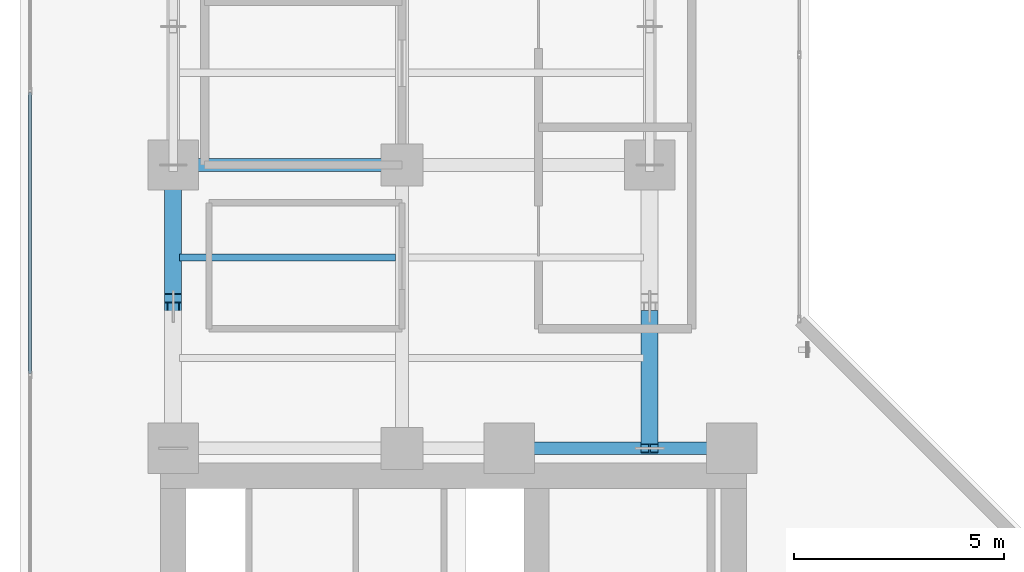
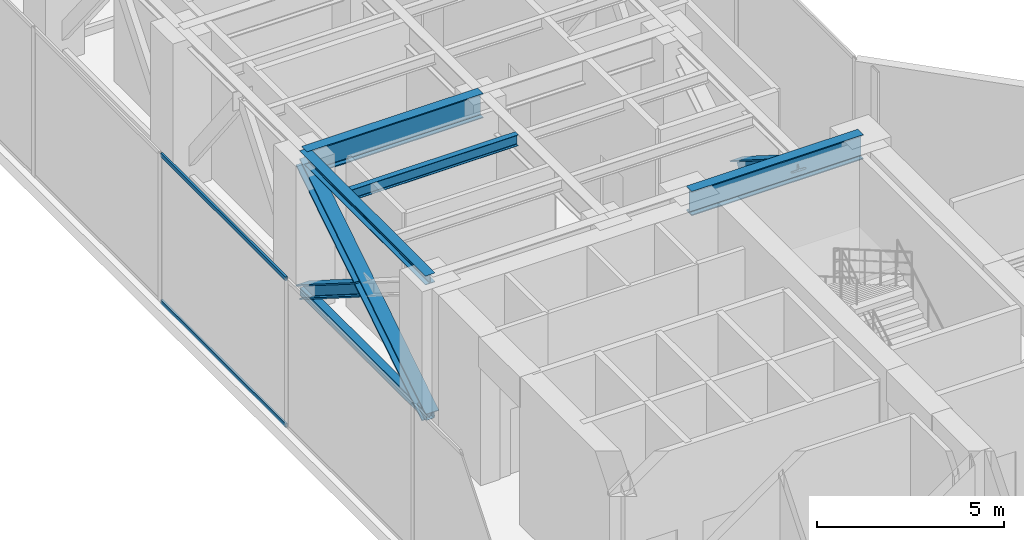
# One storey, part 10 of 36: 6 members, 4 beams, 1 element without a shape of its own.
"""IFC4 building model written with IfcOpenShell, lengths in metres."""

from ifc_helpers import new_model, si_unit, direction, frame, origin, origin_with_axes, origin_2d, place, context, subcontext, project, spatial, hollow_rectangle, i_section, extrude, source, transform, mapped, material, layer, layer_set, material_profile, profile_set, type_object, element, aggregate, save


model = new_model("IFC4")

# Units and contexts
model_context = context("Model", 3, precision=1e-05, world=origin(), true_north=direction((0.0, 1.0)))
body_context = subcontext(model_context, "Body", "Model", "MODEL_VIEW")
ifc_project = project(units=[si_unit("LENGTHUNIT", "METRE"), si_unit("AREAUNIT", "SQUARE_METRE"), si_unit("VOLUMEUNIT", "CUBIC_METRE"), si_unit("PLANEANGLEUNIT", "RADIAN"), si_unit("MASSUNIT", "GRAM", prefix="KILO")], contexts=[model_context])

# Site, building, storey
site_placement = place(None, origin())
site = spatial("IfcSite", under=ifc_project, at=site_placement, CompositionType="ELEMENT")
building_placement = place(site_placement, origin())
building = spatial("IfcBuilding", under=site, at=building_placement, Name="Kolvaren Waterfront Exchange", CompositionType="ELEMENT")
storey_placement = place(building_placement, frame((0.0, 0.0, 199.39990234375)))
storey = spatial("IfcBuildingStorey", under=building, at=storey_placement, Name="L51", CompositionType="ELEMENT", Elevation=199.39990234375)

# Beams
ifc_material_1 = material(Name="Steel S355", Category="steel")
ifc_material_profile_1 = material_profile(ifc_material_1, i_section(OverallWidth=0.300048828125, OverallDepth=0.300048828125, WebThickness=0.010986328125, FlangeThickness=0.01904296875, FilletRadius=0.027099609375, at=origin_2d()), Name="HEB300")
ifc_profile_set_1 = profile_set([ifc_material_profile_1], Name="Steel S355")
beam_type_1 = type_object("IfcBeamType", Name="STR-BM-HEB300", PredefinedType="SPANDREL", material=ifc_profile_set_1)
beam_1_placement = place(storey_placement, frame((7.449951171875, 24.449951171875, 4.710205078125), z_axis=(0.0, 1.0, 0.0), x_axis=(-1.0, 0.0, 0.0)))
element("IfcBeam", 1, at=beam_1_placement, inside=storey, type_object=beam_type_1, Name="L51 north-arm edge beam 1", PredefinedType="SPANDREL", context=body_context, shape_type="SweptSolid", body=[
    extrude(i_section(OverallWidth=0.300048828125, OverallDepth=0.300048828125, WebThickness=0.010986328125, FlangeThickness=0.01904296875, FilletRadius=0.027099609375, at=origin_2d()), origin(), (0.0, 0.0, 1.0), 6.75),
])
ifc_material_profile_2 = material_profile(ifc_material_1, i_section(OverallWidth=0.300048828125, OverallDepth=0.800048828125, WebThickness=0.017578125, FlangeThickness=0.032958984375, FilletRadius=0.030029296875, at=origin_2d()), Name="HEB800")
ifc_profile_set_2 = profile_set([ifc_material_profile_2], Name="Steel S355")
beam_type_2 = type_object("IfcBeamType", Name="STR-BM-HEB800", PredefinedType="BEAM", material=ifc_profile_set_2)
beam_2_placement = place(storey_placement, frame((15.449951171875, 24.449951171875, 4.460205078125), z_axis=(1.0, 0.0, 0.0), x_axis=(0.0, 1.0, 0.0)))
element("IfcBeam", 2, at=beam_2_placement, inside=storey, type_object=beam_type_2, Name="L51 north-arm girder 1C", PredefinedType="BEAM", context=body_context, shape_type="SweptSolid", body=[
    extrude(i_section(OverallWidth=0.300048828125, OverallDepth=0.800048828125, WebThickness=0.017578125, FlangeThickness=0.032958984375, FilletRadius=0.030029296875, at=origin_2d()), origin(), (0.0, 0.0, 1.0), 5.300048828125),
])
beam_3_placement = place(storey_placement, frame((7.449951171875, 31.199951171875, 4.460205078125), z_axis=(1.0, 0.0, 0.0), x_axis=(0.0, 1.0, 0.0)))
element("IfcBeam", 3, at=beam_3_placement, inside=storey, type_object=beam_type_2, Name="L51 north-arm girder 2A", PredefinedType="BEAM", context=body_context, shape_type="SweptSolid", body=[
    extrude(i_section(OverallWidth=0.300048828125, OverallDepth=0.800048828125, WebThickness=0.017578125, FlangeThickness=0.032958984375, FilletRadius=0.030029296875, at=origin_2d()), origin(), (0.0, 0.0, 1.0), 5.449951171875),
])
ifc_material_profile_3 = material_profile(ifc_material_1, i_section(OverallWidth=0.169921875, OverallDepth=0.360107421875, WebThickness=0.008056640625, FlangeThickness=0.0126953125, FilletRadius=0.01806640625, at=origin_2d()), Name="IPE360")
ifc_profile_set_3 = profile_set([ifc_material_profile_3], Name="Steel S355")
beam_type_3 = type_object("IfcBeamType", Name="STR-BM-IPE360", PredefinedType="JOIST", material=ifc_profile_set_3)
beam_4_placement = place(storey_placement, frame((7.60205078125, 29.0, 4.68017578125), z_axis=(1.0, 0.0, 0.0), x_axis=(0.0, 1.0, 0.0)))
element("IfcBeam", 4, at=beam_4_placement, inside=storey, type_object=beam_type_3, Name="L51 north-arm composite joist 2A", PredefinedType="JOIST", context=body_context, shape_type="SweptSolid", body=[
    extrude(i_section(OverallWidth=0.169921875, OverallDepth=0.360107421875, WebThickness=0.008056640625, FlangeThickness=0.0126953125, FilletRadius=0.01806640625, at=origin_2d()), origin(), (0.0, 0.0, 1.0), 5.14599609375),
])

# Members
ifc_material_2 = material(Name="Steel S460", Category="steel")
ifc_material_profile_4 = material_profile(ifc_material_2, i_section(OverallWidth=0.406005859375, OverallDepth=0.416015625, WebThickness=0.029052734375, FlangeThickness=0.0419921875, FilletRadius=0.014892578125, at=origin_2d()), Name="HD400x382")
ifc_profile_set_4 = profile_set([ifc_material_profile_4], Name="Steel S460")
member_type_1 = type_object("IfcMemberType", Name="STR-BR-HD382", PredefinedType="BRACE", material=ifc_profile_set_4)
member_1_placement = place(storey_placement, frame((7.449951171875, 24.449951171875, 0.25), z_axis=(0.0, 0.845666926357, 0.533711016999), x_axis=(-1.0, 0.0, 0.0)))
element("IfcMember", 5, at=member_1_placement, inside=storey, type_object=member_type_1, Name="L51 outrigger diagonal OA3.1", PredefinedType="BRACE", context=body_context, shape_type="SweptSolid", body=[
    extrude(i_section(OverallWidth=0.406005859375, OverallDepth=0.416015625, WebThickness=0.029052734375, FlangeThickness=0.0419921875, FilletRadius=0.014892578125, at=origin_2d()), origin(), (0.0, 0.0, 1.0), 7.98193359375),
])
member_2_placement = place(storey_placement, frame((7.449951171875, 31.199951171875, 0.25), z_axis=(0.0, -0.845649720834, 0.533738278236), x_axis=(1.0, 0.0, 0.0)))
element("IfcMember", 6, at=member_2_placement, inside=storey, type_object=member_type_1, Name="L51 outrigger split diagonal OA3.2A", PredefinedType="BRACE", context=body_context, shape_type="SweptSolid", body=[
    extrude(i_section(OverallWidth=0.406005859375, OverallDepth=0.416015625, WebThickness=0.029052734375, FlangeThickness=0.0419921875, FilletRadius=0.014892578125, at=origin_2d()), origin(), (0.0, 0.0, 1.0), 3.750732421875),
])
member_3_placement = place(storey_placement, frame((18.800048828125, 27.6220703125, 2.50830078125), z_axis=(0.0, -0.84569763783, 0.533662351463), x_axis=(1.0, 0.0, 0.0)))
element("IfcMember", 7, at=member_3_placement, inside=storey, type_object=member_type_1, Name="L51 outrigger split diagonal OA4.2B", PredefinedType="BRACE", context=body_context, shape_type="SweptSolid", body=[
    extrude(i_section(OverallWidth=0.406005859375, OverallDepth=0.416015625, WebThickness=0.029052734375, FlangeThickness=0.0419921875, FilletRadius=0.014892578125, at=origin_2d()), origin(), (0.0, 0.0, 1.0), 3.7509765625),
])
ifc_material_profile_5 = material_profile(ifc_material_1, hollow_rectangle(XDim=0.25, YDim=0.25, WallThickness=0.012451171875, at=origin_2d()), Name="SHS250x250x12.5")
ifc_profile_set_5 = profile_set([ifc_material_profile_5], Name="Steel S355")
member_type_2 = type_object("IfcMemberType", Name="STR-BR-SHS250", PredefinedType="CHORD", material=ifc_profile_set_5)
member_4_placement = place(storey_placement, frame((7.449951171875, 24.449951171875, 0.25), z_axis=(0.0, 1.0, 0.0), x_axis=(-1.0, 0.0, 0.0)))
element("IfcMember", 8, at=member_4_placement, inside=storey, type_object=member_type_2, Name="L51 outrigger bottom chord OA3", PredefinedType="CHORD", context=body_context, shape_type="SweptSolid", body=[
    extrude(hollow_rectangle(XDim=0.25, YDim=0.25, WallThickness=0.012451171875, at=origin_2d()), origin(), (0.0, 0.0, 1.0), 6.75),
])

# Curtain wall, members
ifc_material_3 = material(Name="Anodised dark bronze spandrel aluminium", Category="aluminium")
ifc_layer = layer(ifc_material_3, 0.219970703125, Name="Anodised dark bronze spandrel aluminium")
ifc_layer_set = layer_set([ifc_layer], Name="Anodised dark bronze spandrel aluminium")
curtain_wall_type = type_object("IfcCurtainWallType", Name="ARC-CW-SYS6", PredefinedType="USERDEFINED", material=ifc_layer_set)
curtain_wall_placement = place(storey_placement, origin())
curtain_wall = element("IfcCurtainWall", 9, at=curtain_wall_placement, inside=storey, type_object=curtain_wall_type, Name="L51 stick curtain wall CW6 (CW-L51-W)", ObjectType="STICK CURTAIN WALL", PredefinedType="USERDEFINED")
ifc_material_4 = material(Name="Anodised bronze aluminium 6063-T6", Category="aluminium")
ifc_material_profile_6 = material_profile(ifc_material_4, hollow_rectangle(XDim=0.06494140625, YDim=0.1298828125, WallThickness=0.00390625, at=origin_2d()), Name="ALU-TRN-130x65x4")
ifc_profile_set_6 = profile_set([ifc_material_profile_6], Name="Anodised bronze aluminium 6063-T6")
member_type_3 = type_object("IfcMemberType", Name="ARC-CWT-130", PredefinedType="USERDEFINED", material=ifc_profile_set_6)
shared_shape = source(origin_with_axes(), body_context, "Body", "SweptSolid", [
    extrude(hollow_rectangle(XDim=0.06494140625, YDim=0.1298828125, WallThickness=0.00390625, at=origin_2d()), origin(), (0.0, 0.0, 1.0), 6.691650390625),
])
member_5_placement = place(storey_placement, frame((4.0400390625, 26.237548828125, 0.03271484375), z_axis=(0.0, 1.0, 0.0), x_axis=(-1.0, 0.0, 0.0)))
member_5 = element("IfcMember", 10, at=member_5_placement, type_object=member_type_3, Name="CW6 transom 4.1", ObjectType="TRANSOM", PredefinedType="USERDEFINED", context=body_context, shape_type="MappedRepresentation", body=[
    mapped(shared_shape, transform((0.0, 0.0, 0.0), x_axis=(1.0, 0.0, 0.0), y_axis=(0.0, 1.0, 0.0), z_axis=(0.0, 0.0, 1.0), scale=1.0)),
])
member_6_placement = place(storey_placement, frame((4.0400390625, 26.237548828125, 4.82763671875), z_axis=(0.0, 1.0, 0.0), x_axis=(-1.0, 0.0, 0.0)))
member_6 = element("IfcMember", 11, at=member_6_placement, type_object=member_type_3, Name="CW6 transom 4.2", ObjectType="TRANSOM", PredefinedType="USERDEFINED", context=body_context, shape_type="MappedRepresentation", body=[
    mapped(shared_shape, transform((0.0, 0.0, 0.0), x_axis=(1.0, 0.0, 0.0), y_axis=(0.0, 1.0, 0.0), z_axis=(0.0, 0.0, 1.0), scale=1.0)),
])
aggregate(curtain_wall, [member_5, member_6])

save(model, "model.ifc")
